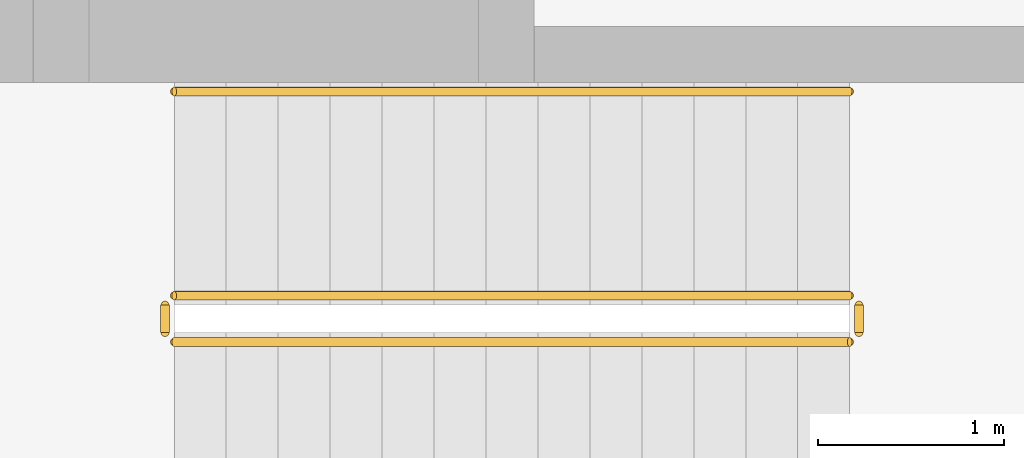
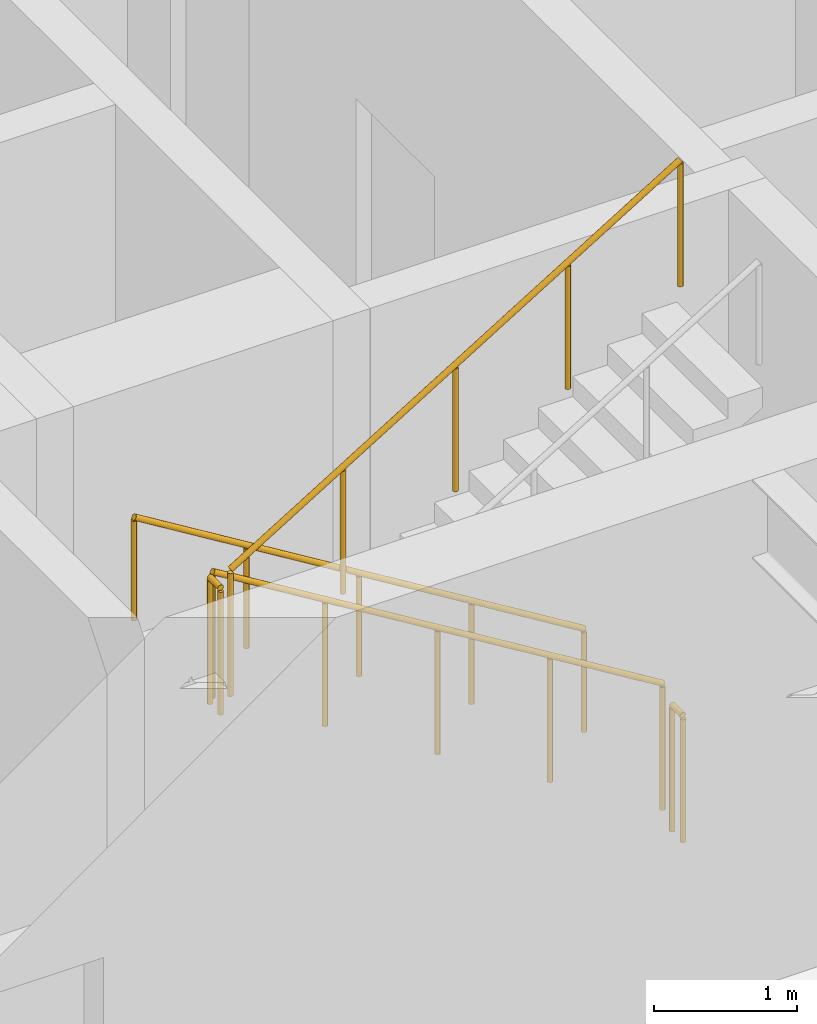
# One storey, part 7 of 11: 5 railings.
"""IFC4 building model written with IfcOpenShell, lengths in metres."""

from ifc_helpers import new_model, si_unit, direction, frame, origin, origin_2d, place, context, subcontext, project, spatial, circle, extrude, material, type_object, element, save


model = new_model("IFC4")

# Units and contexts
model_context = context("Model", 3, precision=1e-05, world=origin(), true_north=direction((0.0, 1.0)))
body_context = subcontext(model_context, "Body", "Model", "MODEL_VIEW")
ifc_project = project(units=[si_unit("LENGTHUNIT", "METRE"), si_unit("AREAUNIT", "SQUARE_METRE"), si_unit("VOLUMEUNIT", "CUBIC_METRE"), si_unit("PLANEANGLEUNIT", "RADIAN"), si_unit("MASSUNIT", "GRAM", prefix="KILO")], contexts=[model_context])

# Site, building, storey
site_placement = place(None, origin())
site = spatial("IfcSite", under=ifc_project, at=site_placement, CompositionType="ELEMENT")
building_placement = place(site_placement, origin())
building = spatial("IfcBuilding", under=site, at=building_placement, Name="Aloe Facet Convention Tower", CompositionType="ELEMENT")
storey_placement = place(building_placement, frame((0.0, 0.0, 175.39990234375)))
storey = spatial("IfcBuildingStorey", under=building, at=storey_placement, Name="L44", CompositionType="ELEMENT", Elevation=175.39990234375)

# Railings
ifc_material_1 = material(Name="Steel S355 balustrade", Category="steel")
railing_type_1 = type_object("IfcRailingType", Name="CR-RL-GUARD", PredefinedType="GUARDRAIL", material=ifc_material_1)
railing_1_placement = place(storey_placement, frame((80.300048828125, 124.550048828125, 0.171630859375)))
element("IfcRailing", 1, at=railing_1_placement, inside=storey, type_object=railing_type_1, Name="L44 ST3 stair guard 1", PredefinedType="GUARDRAIL", context=body_context, shape_type="SweptSolid", body=[
    extrude(circle(Radius=0.02392578125, at=origin_2d()), frame((0.0, 0.0, 1.076171875), z_axis=(-0.852865859571, 0.0, 0.52213008492), x_axis=(0.0, -1.0, 0.0)), (0.0, 0.0, 1.0), 4.26806640625),
    extrude(circle(Radius=0.02099609375, at=origin_2d()), origin(), (0.0, 0.0, 1.0), 1.052001953125),
    extrude(circle(Radius=0.02099609375, at=origin_2d()), frame((-0.91015625, 0.0, 0.55712890625)), (0.0, 0.0, 1.0), 1.052001953125),
    extrude(circle(Radius=0.02099609375, at=origin_2d()), frame((-1.820068359375, 0.0, 1.1142578125)), (0.0, 0.0, 1.0), 1.052001953125),
    extrude(circle(Radius=0.02099609375, at=origin_2d()), frame((-2.72998046875, 0.0, 1.67138671875)), (0.0, 0.0, 1.0), 1.052001953125),
    extrude(circle(Radius=0.02099609375, at=origin_2d()), frame((-3.64013671875, 0.0, 2.228515625)), (0.0, 0.0, 1.0), 1.052001953125),
])
railing_2_placement = place(storey_placement, frame((76.610107421875, 124.5, 2.400146484375)))
element("IfcRailing", 2, at=railing_2_placement, inside=storey, type_object=railing_type_1, Name="L44 ST3 stair guard 2", PredefinedType="GUARDRAIL", context=body_context, shape_type="SweptSolid", body=[
    extrude(circle(Radius=0.02392578125, at=origin_2d()), frame((0.0, 0.0, 1.076171875), z_axis=(0.0, -1.0, 0.0), x_axis=(1.0, 0.0, 0.0)), (0.0, 0.0, 1.0), 0.14990234375),
    extrude(circle(Radius=0.02099609375, at=origin_2d()), origin(), (0.0, 0.0, 1.0), 1.052001953125),
    extrude(circle(Radius=0.02099609375, at=origin_2d()), frame((0.0, -0.14990234375, 0.0)), (0.0, 0.0, 1.0), 1.052001953125),
])
railing_3_placement = place(storey_placement, frame((76.659912109375, 124.300048828125, 2.571533203125)))
element("IfcRailing", 3, at=railing_3_placement, inside=storey, type_object=railing_type_1, Name="L44 ST3 stair guard 3", PredefinedType="GUARDRAIL", context=body_context, shape_type="SweptSolid", body=[
    extrude(circle(Radius=0.02392578125, at=origin_2d()), frame((0.0, 0.0, 1.076171875), z_axis=(0.852865859571, 0.0, 0.52213008492), x_axis=(0.0, 1.0, 0.0)), (0.0, 0.0, 1.0), 4.26806640625),
    extrude(circle(Radius=0.02099609375, at=origin_2d()), origin(), (0.0, 0.0, 1.0), 1.052001953125),
    extrude(circle(Radius=0.02099609375, at=origin_2d()), frame((0.91015625, 0.0, 0.55712890625)), (0.0, 0.0, 1.0), 1.052001953125),
    extrude(circle(Radius=0.02099609375, at=origin_2d()), frame((1.820068359375, 0.0, 1.1142578125)), (0.0, 0.0, 1.0), 1.052001953125),
    extrude(circle(Radius=0.02099609375, at=origin_2d()), frame((2.72998046875, 0.0, 1.67138671875)), (0.0, 0.0, 1.0), 1.052001953125),
    extrude(circle(Radius=0.02099609375, at=origin_2d()), frame((3.64013671875, 0.0, 2.228515625)), (0.0, 0.0, 1.0), 1.052001953125),
])
railing_4_placement = place(storey_placement, frame((80.35009765625, 124.5, 0.0)))
element("IfcRailing", 4, at=railing_4_placement, inside=storey, type_object=railing_type_1, Name="L44 ST3 stair guard 4", PredefinedType="GUARDRAIL", context=body_context, shape_type="SweptSolid", body=[
    extrude(circle(Radius=0.02392578125, at=origin_2d()), frame((0.0, 0.0, 1.076171875), z_axis=(0.0, -1.0, 0.0), x_axis=(1.0, 0.0, 0.0)), (0.0, 0.0, 1.0), 0.14990234375),
    extrude(circle(Radius=0.02099609375, at=origin_2d()), origin(), (0.0, 0.0, 1.0), 1.052001953125),
    extrude(circle(Radius=0.02099609375, at=origin_2d()), frame((0.0, -0.14990234375, 0.0)), (0.0, 0.0, 1.0), 1.052001953125),
])
ifc_material_2 = material(Name="Steel S355 handrail", Category="steel")
railing_type_2 = type_object("IfcRailingType", Name="CR-RL-HAND", PredefinedType="HANDRAIL", material=ifc_material_2)
railing_5_placement = place(storey_placement, frame((80.300048828125, 125.64990234375, 0.171630859375)))
element("IfcRailing", 5, at=railing_5_placement, inside=storey, type_object=railing_type_2, Name="L44 ST3 stair handrail 1", PredefinedType="HANDRAIL", context=body_context, shape_type="SweptSolid", body=[
    extrude(circle(Radius=0.02392578125, at=origin_2d()), frame((0.0, 0.0, 0.8759765625), z_axis=(-0.852865859571, 0.0, 0.52213008492), x_axis=(0.0, -1.0, 0.0)), (0.0, 0.0, 1.0), 4.26806640625),
    extrude(circle(Radius=0.02099609375, at=origin_2d()), origin(), (0.0, 0.0, 1.0), 0.851806640625),
    extrude(circle(Radius=0.02099609375, at=origin_2d()), frame((-0.91015625, 0.0, 0.55712890625)), (0.0, 0.0, 1.0), 0.851806640625),
    extrude(circle(Radius=0.02099609375, at=origin_2d()), frame((-1.820068359375, 0.0, 1.1142578125)), (0.0, 0.0, 1.0), 0.851806640625),
    extrude(circle(Radius=0.02099609375, at=origin_2d()), frame((-2.72998046875, 0.0, 1.67138671875)), (0.0, 0.0, 1.0), 0.851806640625),
    extrude(circle(Radius=0.02099609375, at=origin_2d()), frame((-3.64013671875, 0.0, 2.228515625)), (0.0, 0.0, 1.0), 0.851806640625),
])

save(model, "model.ifc")
